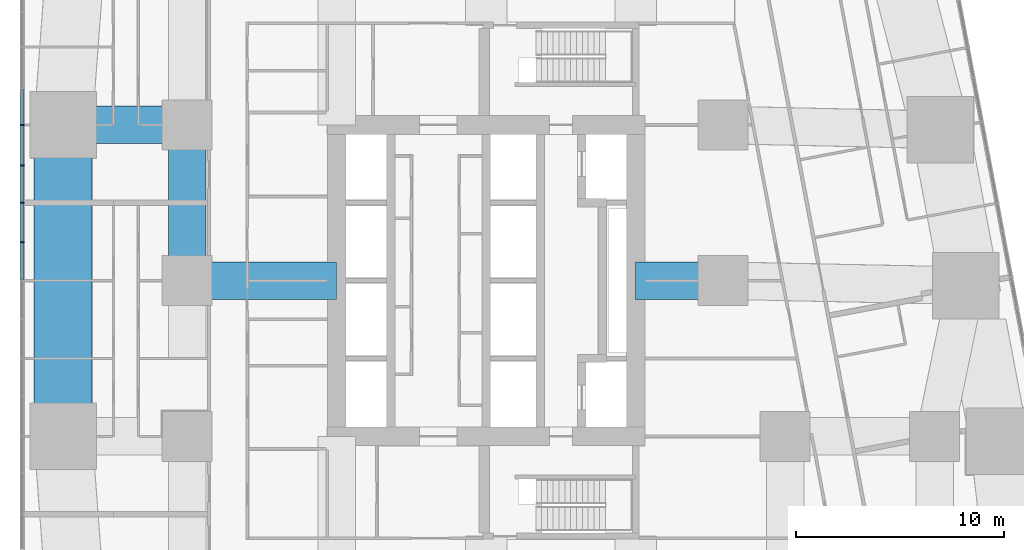
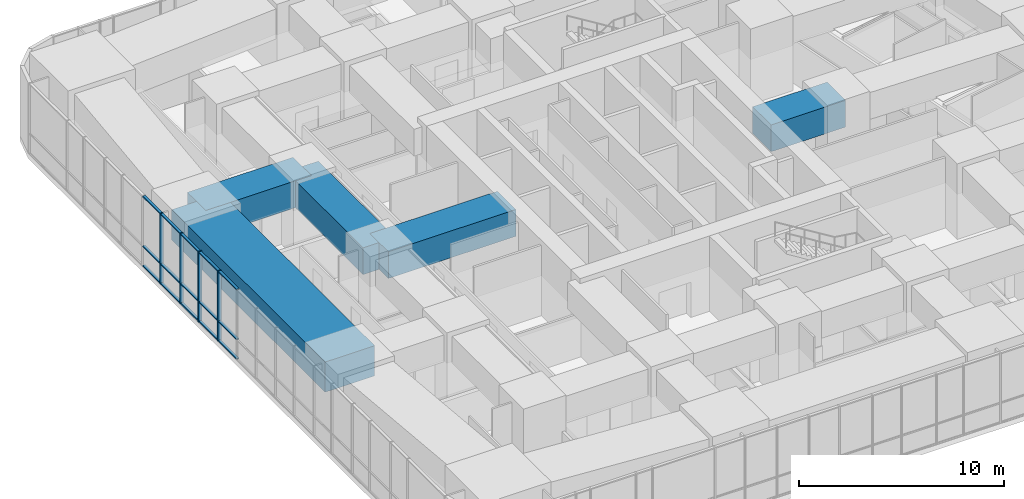
# One storey, part 4 of 23: 19 members, 5 beams, 1 element without a shape of its own.
"""IFC4 building model written with IfcOpenShell, lengths in metres."""

import ifcopenshell
import ifcopenshell.guid

model = None  # the IFC model being written
_history = None  # IfcOwnerHistory: only IFC2X3 demands one
_inside = {}  # id of a spatial element -> (the spatial element, [elements in it])
_under = {}  # id of a project, library or spatial element -> (it, [spatial elements below it])
_declared = {}  # id of a project -> (the project, [libraries it declares])
_typed = {}  # id of a type object -> (the type object, [elements of that type])
_made_of = {}  # id of a material, layer set ... -> (it, [elements and type objects made of it])


def new_model(schema):
    """Start an empty IFC model of exactly this schema.

    Asked for "IFC4X3", IfcOpenShell would pick the latest addendum, in which some entities
    have other attributes; the version numbers below select the first issue.
    IFC2X3 requires an IfcOwnerHistory on every rooted entity: one is made here for all.
    """
    global model, _history
    if schema == "IFC4X3":
        model = ifcopenshell.file(schema_version=(4, 3, 0, 0))
    else:
        model = ifcopenshell.file(schema=schema)
    _inside.clear()
    _under.clear()
    _declared.clear()
    _typed.clear()
    _made_of.clear()
    _history = None
    if model.schema == "IFC2X3":
        org = make("IfcOrganization", Name="unknown")
        user = make(
            "IfcPersonAndOrganization",
            ThePerson=make("IfcPerson", FamilyName="unknown"),
            TheOrganization=org,
        )
        app = make(
            "IfcApplication",
            ApplicationDeveloper=org,
            Version="unknown",
            ApplicationFullName="unknown",
            ApplicationIdentifier="unknown",
        )
        _history = make(
            "IfcOwnerHistory",
            OwningUser=user,
            OwningApplication=app,
            ChangeAction="ADDED",
            CreationDate=0,
        )
    return model


def make(cls, **values):
    """One entity of the class cls with the attributes given. An attribute that is None is left unset."""
    return model.create_entity(
        cls, **{name: value for name, value in values.items() if value is not None}
    )


def rooted(cls, **values):
    """An entity with a GlobalId (a new one), such as an element, a storey or a relation."""
    return make(cls, GlobalId=ifcopenshell.guid.new(), OwnerHistory=_history, **values)


def si_unit(unit_type, name, prefix=None):
    """IfcSIUnit, for example si_unit("LENGTHUNIT", "METRE", prefix="MILLI")."""
    return make("IfcSIUnit", UnitType=unit_type, Prefix=prefix, Name=name)


def assignment(units):
    """IfcUnitAssignment: the units of a project."""
    return None if units is None else make("IfcUnitAssignment", Units=units)


def point(xyz):
    """IfcCartesianPoint."""
    return None if xyz is None else make("IfcCartesianPoint", Coordinates=xyz)


def direction(xyz):
    """IfcDirection."""
    return None if xyz is None else make("IfcDirection", DirectionRatios=xyz)


def frame(location, z_axis=None, x_axis=None):
    """IfcAxis2Placement3D, a coordinate frame: its origin and axes. An axis left out is left unset."""
    return make(
        "IfcAxis2Placement3D",
        Location=point(location),
        Axis=direction(z_axis),
        RefDirection=direction(x_axis),
    )


def frame_2d(location, x_axis=None):
    """IfcAxis2Placement2D, a coordinate frame in the plane: its origin and x axis."""
    return make(
        "IfcAxis2Placement2D", Location=point(location), RefDirection=direction(x_axis)
    )


def origin():
    """The frame at (0, 0, 0) with its axes left unset."""
    return frame((0.0, 0.0, 0.0))


def origin_2d():
    """The frame at (0, 0) in the plane with its x axis left unset."""
    return frame_2d((0.0, 0.0))


def place(relative_to, where):
    """IfcLocalPlacement: puts the frame where relative to a parent placement (None: the world)."""
    return make(
        "IfcLocalPlacement", PlacementRelTo=relative_to, RelativePlacement=where
    )


def context(
    kind, dimensions, precision=None, world=None, true_north=None, identifier=None
):
    """IfcGeometricRepresentationContext, for example the 3D "Model" context."""
    return make(
        "IfcGeometricRepresentationContext",
        ContextIdentifier=identifier,
        ContextType=kind,
        CoordinateSpaceDimension=dimensions,
        Precision=precision,
        WorldCoordinateSystem=world,
        TrueNorth=true_north,
    )


def subcontext(parent, identifier, kind, view, scale=None):
    """IfcGeometricRepresentationSubContext, for example "Body" below "Model"."""
    return make(
        "IfcGeometricRepresentationSubContext",
        ContextIdentifier=identifier,
        ContextType=kind,
        ParentContext=parent,
        TargetScale=scale,
        TargetView=view,
    )


def project(units=None, contexts=None):
    """IfcProject with its units and contexts."""
    return rooted(
        "IfcProject",
        Name="project",
        RepresentationContexts=contexts,
        UnitsInContext=assignment(units),
    )


def spatial(cls, under=None, at=None, **own):
    """A site, building, storey or space (cls), placed at a placement, below another one or the project."""
    s = rooted(cls, ObjectPlacement=at, **own)
    if under is not None:
        _under.setdefault(under.id(), (under, []))[1].append(s)
    return s


def profile(cls, at=None, kind="AREA", **sizes):
    """A parametric profile (cls). Its sizes go by their IFC names, for example OverallWidth=200.0."""
    return make(cls, ProfileType=kind, Position=at, **sizes)


def rectangle(**sizes):
    """IfcRectangleProfileDef."""
    return profile("IfcRectangleProfileDef", **sizes)


def extrude(swept, where, along, depth):
    """IfcExtrudedAreaSolid: the profile swept, set in the frame where, extruded along a direction by depth."""
    return make(
        "IfcExtrudedAreaSolid",
        SweptArea=swept,
        Position=where,
        ExtrudedDirection=direction(along),
        Depth=depth,
    )


def shape(context_of_items, identifier, shape_type, items):
    """IfcShapeRepresentation: the items that make up one representation, for example the "Body"."""
    return make(
        "IfcShapeRepresentation",
        ContextOfItems=context_of_items,
        RepresentationIdentifier=identifier,
        RepresentationType=shape_type,
        Items=items,
    )


def material(Name=None, Category=None):
    """IfcMaterial."""
    return make("IfcMaterial", Name=Name, Category=Category)


def material_profile(
    of_material, cross_section, Name=None, Category=None, Priority=None
):
    """IfcMaterialProfile: a cross section and its material."""
    return make(
        "IfcMaterialProfile",
        Name=Name,
        Material=of_material,
        Profile=cross_section,
        Priority=Priority,
        Category=Category,
    )


def profile_set(profiles, Name=None, composite=None):
    """IfcMaterialProfileSet."""
    return make(
        "IfcMaterialProfileSet",
        Name=Name,
        MaterialProfiles=profiles,
        CompositeProfile=composite,
    )


def made_of(thing, what):
    """Note that an element or type object is made of a material, layer set ...; save() writes the relation."""
    if what is not None:
        _made_of.setdefault(what.id(), (what, []))[1].append(thing)
    return thing


def type_object(cls, material=None, **own):
    """A type object (cls), such as IfcWallType, which elements share."""
    return made_of(rooted(cls, **own), material)


def element(
    cls,
    number,
    at=None,
    inside=None,
    cuts=None,
    type_object=None,
    material=None,
    context=None,
    identifier="Body",
    shape_type=None,
    held_by="IfcProductDefinitionShape",
    body=None,
    shapes=None,
    **own,
):
    """One element of the class cls, such as IfcWall. Its Tag is "e" and its number.

    at: its placement. inside: the storey or other place that contains it. cuts: it is an
    opening in that element (IfcRelVoidsElement). A single representation is given by context,
    identifier, shape_type and body (its items); several are given by shapes. held_by: the class
    of the entity that holds the representations. save() writes the other relations.
    """
    e = rooted(cls, Tag="e%d" % number, ObjectPlacement=at, **own)
    if body is not None:
        shapes = [shape(context, identifier, shape_type, body)]
    if shapes is not None:
        e.Representation = make(held_by, Representations=shapes)
    if inside is not None:
        _inside.setdefault(inside.id(), (inside, []))[1].append(e)
    if cuts is not None:
        rooted(
            "IfcRelVoidsElement", RelatingBuildingElement=cuts, RelatedOpeningElement=e
        )
    if type_object is not None:
        _typed.setdefault(type_object.id(), (type_object, []))[1].append(e)
    return made_of(e, material)


def aggregate(whole, parts):
    """IfcRelAggregates: a whole, such as a stair, and the parts it consists of."""
    return rooted("IfcRelAggregates", RelatingObject=whole, RelatedObjects=parts)


def save(model, path):
    """Write the relations noted so far, then the file.

    IfcRelAggregates (storeys below a building ...), IfcRelContainedInSpatialStructure (elements
    in a storey), IfcRelDefinesByType, IfcRelAssociatesMaterial and IfcRelDeclares: one each for
    every whole, place, type object, material and project.
    """
    for whole, parts in _under.values():
        aggregate(whole, parts)
    for where, things in _inside.values():
        rooted(
            "IfcRelContainedInSpatialStructure",
            RelatedElements=things,
            RelatingStructure=where,
        )
    for kind, things in _typed.values():
        rooted("IfcRelDefinesByType", RelatedObjects=things, RelatingType=kind)
    for what, things in _made_of.values():
        rooted("IfcRelAssociatesMaterial", RelatedObjects=things, RelatingMaterial=what)
    for by, libraries in _declared.values():
        rooted("IfcRelDeclares", RelatingContext=by, RelatedDefinitions=libraries)
    model.write(path)


model = new_model("IFC4")

# Units and contexts
model_context = context("Model", 3, precision=1e-05, world=origin(), true_north=direction((0.0, 1.0)))
body_context = subcontext(model_context, "Body", "Model", "MODEL_VIEW")
ifc_project = project(units=[si_unit("LENGTHUNIT", "METRE"), si_unit("AREAUNIT", "SQUARE_METRE"), si_unit("VOLUMEUNIT", "CUBIC_METRE"), si_unit("PLANEANGLEUNIT", "RADIAN"), si_unit("MASSUNIT", "GRAM", prefix="KILO")], contexts=[model_context])

# Site, building, storey
site_placement = place(None, origin())
site = spatial("IfcSite", under=ifc_project, at=site_placement, CompositionType="ELEMENT")
building_placement = place(site_placement, origin())
building = spatial("IfcBuilding", under=site, at=building_placement, Name="Sheger Commons Tower", CompositionType="ELEMENT")
storey_placement = place(building_placement, frame((0.0, 0.0, 5.60009765625)))
storey = spatial("IfcBuildingStorey", under=building, at=storey_placement, Name="L01", CompositionType="ELEMENT", Elevation=5.60009765625)

# Beams
ifc_material_1 = material(Name="Concrete C50/60", Category="concrete")
ifc_material_profile_1 = material_profile(ifc_material_1, rectangle(XDim=1.800048828125, YDim=1.60009765625, at=origin_2d()), Name="RC 1800x1600")
ifc_profile_set_1 = profile_set([ifc_material_profile_1], Name="Concrete C50/60")
beam_type_1 = type_object("IfcBeamType", Name="BEAM RC 1800x1600", PredefinedType="BEAM", material=ifc_profile_set_1)
beam_1_placement = place(storey_placement, frame((7.199951171875, 22.5, 3.39990234375), z_axis=(1.0, 0.0, 0.0), x_axis=(0.0, 1.0, 0.0)))
element("IfcBeam", 1, at=beam_1_placement, inside=storey, type_object=beam_type_1, Name="Beam 2/D-3/D under L02", PredefinedType="BEAM", context=body_context, shape_type="SweptSolid", body=[
    extrude(rectangle(XDim=1.800048828125, YDim=1.60009765625, at=origin_2d()), origin(), (0.0, 0.0, 1.0), 7.199951171875),
])
beam_2_placement = place(storey_placement, frame((28.800048828125, 22.5, 3.39990234375), z_axis=(1.0, 0.0, 0.0), x_axis=(0.0, 1.0, 0.0)))
element("IfcBeam", 2, at=beam_2_placement, inside=storey, type_object=beam_type_1, Name="Beam 5/D-6-3000/D under L02", PredefinedType="BEAM", context=body_context, shape_type="SweptSolid", body=[
    extrude(rectangle(XDim=1.800048828125, YDim=1.60009765625, at=origin_2d()), origin(), (0.0, 0.0, 1.0), 4.199951171875),
])
beam_3_placement = place(storey_placement, frame((1.22509765625, 30.0, 3.39990234375), z_axis=(1.0, 0.0, 0.0), x_axis=(0.0, 1.0, 0.0)))
element("IfcBeam", 3, at=beam_3_placement, inside=storey, type_object=beam_type_1, Name="Beam 1/E-2/E under L02", PredefinedType="BEAM", context=body_context, shape_type="SweptSolid", body=[
    extrude(rectangle(XDim=1.800048828125, YDim=1.60009765625, at=origin_2d()), origin(), (0.0, 0.0, 1.0), 5.974853515625),
])
beam_4_placement = place(storey_placement, frame((7.199951171875, 22.5, 3.39990234375), z_axis=(0.0, 1.0, 0.0), x_axis=(-1.0, 0.0, 0.0)))
element("IfcBeam", 4, at=beam_4_placement, inside=storey, type_object=beam_type_1, Name="Beam 2/D-2/E under L02", PredefinedType="BEAM", context=body_context, shape_type="SweptSolid", body=[
    extrude(rectangle(XDim=1.800048828125, YDim=1.60009765625, at=origin_2d()), origin(), (0.0, 0.0, 1.0), 7.5),
])

# Curtain wall, members
ifc_material_2 = material(Name="Black aluminium curtain wall, dark tinted glazing", Category="aluminium")
curtain_wall_type = type_object("IfcCurtainWallType", Name="CURTAIN WALL CW2 HEALTH CENTRE", PredefinedType="USERDEFINED", material=ifc_material_2)
curtain_wall_placement = place(storey_placement, origin())
curtain_wall = element("IfcCurtainWall", 5, at=curtain_wall_placement, inside=storey, type_object=curtain_wall_type, Name="Curtain Wall Cw2 Health Centre W1 L01", ObjectType="STICK CURTAIN WALL", PredefinedType="USERDEFINED")
ifc_material_3 = material(Name="Black anodised aluminium", Category="aluminium")
ifc_material_profile_2 = material_profile(ifc_material_3, rectangle(XDim=0.199951171875, YDim=0.06494140625, at=origin_2d()), Name="AL 65x200")
ifc_profile_set_2 = profile_set([ifc_material_profile_2], Name="Black anodised aluminium")
member_type_1 = type_object("IfcMemberType", Name="MULLION AL 65x200", PredefinedType="MULLION", material=ifc_profile_set_2)
member_1_placement = place(storey_placement, frame((-0.75, 30.0, 0.0), z_axis=(0.0, 0.0, 1.0), x_axis=(1.0, 0.0, 0.0)))
member_1 = element("IfcMember", 6, at=member_1_placement, type_object=member_type_1, Name="CW2 mullion 7", PredefinedType="MULLION", context=body_context, shape_type="SweptSolid", body=[
    extrude(rectangle(XDim=0.199951171875, YDim=0.06494140625, at=origin_2d()), origin(), (0.0, 0.0, 1.0), 4.199951171875),
])
member_2_placement = place(storey_placement, frame((-0.75, 28.0458984375, 0.0), z_axis=(0.0, 0.0, 1.0), x_axis=(1.0, 0.0, 0.0)))
member_2 = element("IfcMember", 7, at=member_2_placement, type_object=member_type_1, Name="CW2 mullion 8", PredefinedType="MULLION", context=body_context, shape_type="SweptSolid", body=[
    extrude(rectangle(XDim=0.199951171875, YDim=0.06494140625, at=origin_2d()), origin(), (0.0, 0.0, 1.0), 4.199951171875),
])
member_3_placement = place(storey_placement, frame((-0.75, 26.25, 0.0), z_axis=(0.0, 0.0, 1.0), x_axis=(1.0, 0.0, 0.0)))
member_3 = element("IfcMember", 8, at=member_3_placement, type_object=member_type_1, Name="CW2 mullion 9", PredefinedType="MULLION", context=body_context, shape_type="SweptSolid", body=[
    extrude(rectangle(XDim=0.199951171875, YDim=0.06494140625, at=origin_2d()), origin(), (0.0, 0.0, 1.0), 4.199951171875),
])
member_4_placement = place(storey_placement, frame((-0.75, 24.34912109375, 0.0), z_axis=(0.0, 0.0, 1.0), x_axis=(1.0, 0.0, 0.0)))
member_4 = element("IfcMember", 9, at=member_4_placement, type_object=member_type_1, Name="CW2 mullion 10", PredefinedType="MULLION", context=body_context, shape_type="SweptSolid", body=[
    extrude(rectangle(XDim=0.199951171875, YDim=0.06494140625, at=origin_2d()), origin(), (0.0, 0.0, 1.0), 4.199951171875),
])

# Beam
ifc_material_4 = material(Name="Concrete C50/60", Category="concrete")
ifc_material_profile_3 = material_profile(ifc_material_4, rectangle(XDim=2.800048828125, YDim=1.800048828125, at=origin_2d()), Name="RC 2800x1800")
ifc_profile_set_3 = profile_set([ifc_material_profile_3], Name="Concrete C50/60")
beam_type_2 = type_object("IfcBeamType", Name="SPANDREL RC 2800x1800", PredefinedType="SPANDREL", material=ifc_profile_set_3)
beam_5_placement = place(storey_placement, frame((1.22509765625, 30.0, 3.2998046875), z_axis=(0.0, -1.0, 0.0), x_axis=(1.0, 0.0, 0.0)))
element("IfcBeam", 10, at=beam_5_placement, inside=storey, type_object=beam_type_2, Name="Beam 1/E-1/C under L02", PredefinedType="SPANDREL", context=body_context, shape_type="SweptSolid", body=[
    extrude(rectangle(XDim=2.800048828125, YDim=1.800048828125, at=origin_2d()), origin(), (0.0, 0.0, 1.0), 15.0),
])

# Member
ifc_material_5 = material(Name="Black anodised aluminium", Category="aluminium")
ifc_material_profile_4 = material_profile(ifc_material_5, rectangle(XDim=0.14990234375, YDim=0.06494140625, at=origin_2d()), Name="AL 65x150")
ifc_profile_set_4 = profile_set([ifc_material_profile_4], Name="Black anodised aluminium")
member_type_2 = type_object("IfcMemberType", Name="TRANSOM AL 65x150", PredefinedType="USERDEFINED", material=ifc_profile_set_4)
member_5_placement = place(storey_placement, frame((-0.75, 31.71142578125, 0.032470703125), z_axis=(0.0, -1.0, 0.0), x_axis=(1.0, 0.0, 0.0)))
member_5 = element("IfcMember", 11, at=member_5_placement, type_object=member_type_2, Name="CW2 transom 6.1", ObjectType="TRANSOM", PredefinedType="USERDEFINED", context=body_context, shape_type="SweptSolid", body=[
    extrude(rectangle(XDim=0.14990234375, YDim=0.06494140625, at=origin_2d()), origin(), (0.0, 0.0, 1.0), 1.678955078125),
])

member_6_placement = place(storey_placement, frame((-0.75, 31.71142578125, 1.199951171875), z_axis=(0.0, -1.0, 0.0), x_axis=(1.0, 0.0, 0.0)))
member_6 = element("IfcMember", 12, at=member_6_placement, type_object=member_type_2, Name="CW2 transom 6.2", ObjectType="TRANSOM", PredefinedType="USERDEFINED", context=body_context, shape_type="SweptSolid", body=[
    extrude(rectangle(XDim=0.14990234375, YDim=0.06494140625, at=origin_2d()), origin(), (0.0, 0.0, 1.0), 1.678955078125),
])

member_7_placement = place(storey_placement, frame((-0.75, 31.71142578125, 4.16748046875), z_axis=(0.0, -1.0, 0.0), x_axis=(1.0, 0.0, 0.0)))
member_7 = element("IfcMember", 13, at=member_7_placement, type_object=member_type_2, Name="CW2 transom 6.3", ObjectType="TRANSOM", PredefinedType="USERDEFINED", context=body_context, shape_type="SweptSolid", body=[
    extrude(rectangle(XDim=0.14990234375, YDim=0.06494140625, at=origin_2d()), origin(), (0.0, 0.0, 1.0), 1.678955078125),
])

member_8_placement = place(storey_placement, frame((-0.75, 29.967529296875, 0.032470703125), z_axis=(0.0, -1.0, 0.0), x_axis=(1.0, 0.0, 0.0)))
member_8 = element("IfcMember", 14, at=member_8_placement, type_object=member_type_2, Name="CW2 transom 7.1", ObjectType="TRANSOM", PredefinedType="USERDEFINED", context=body_context, shape_type="SweptSolid", body=[
    extrude(rectangle(XDim=0.14990234375, YDim=0.06494140625, at=origin_2d()), origin(), (0.0, 0.0, 1.0), 1.888916015625),
])

member_9_placement = place(storey_placement, frame((-0.75, 29.967529296875, 1.199951171875), z_axis=(0.0, -1.0, 0.0), x_axis=(1.0, 0.0, 0.0)))
member_9 = element("IfcMember", 15, at=member_9_placement, type_object=member_type_2, Name="CW2 transom 7.2", ObjectType="TRANSOM", PredefinedType="USERDEFINED", context=body_context, shape_type="SweptSolid", body=[
    extrude(rectangle(XDim=0.14990234375, YDim=0.06494140625, at=origin_2d()), origin(), (0.0, 0.0, 1.0), 1.888916015625),
])

member_10_placement = place(storey_placement, frame((-0.75, 29.967529296875, 4.16748046875), z_axis=(0.0, -1.0, 0.0), x_axis=(1.0, 0.0, 0.0)))
member_10 = element("IfcMember", 16, at=member_10_placement, type_object=member_type_2, Name="CW2 transom 7.3", ObjectType="TRANSOM", PredefinedType="USERDEFINED", context=body_context, shape_type="SweptSolid", body=[
    extrude(rectangle(XDim=0.14990234375, YDim=0.06494140625, at=origin_2d()), origin(), (0.0, 0.0, 1.0), 1.888916015625),
])

member_11_placement = place(storey_placement, frame((-0.75, 28.013427734375, 0.032470703125), z_axis=(0.0, -1.0, 0.0), x_axis=(1.0, 0.0, 0.0)))
member_11 = element("IfcMember", 17, at=member_11_placement, type_object=member_type_2, Name="CW2 transom 8.1", ObjectType="TRANSOM", PredefinedType="USERDEFINED", context=body_context, shape_type="SweptSolid", body=[
    extrude(rectangle(XDim=0.14990234375, YDim=0.06494140625, at=origin_2d()), origin(), (0.0, 0.0, 1.0), 1.73095703125),
])

member_12_placement = place(storey_placement, frame((-0.75, 28.013427734375, 1.199951171875), z_axis=(0.0, -1.0, 0.0), x_axis=(1.0, 0.0, 0.0)))
member_12 = element("IfcMember", 18, at=member_12_placement, type_object=member_type_2, Name="CW2 transom 8.2", ObjectType="TRANSOM", PredefinedType="USERDEFINED", context=body_context, shape_type="SweptSolid", body=[
    extrude(rectangle(XDim=0.14990234375, YDim=0.06494140625, at=origin_2d()), origin(), (0.0, 0.0, 1.0), 1.73095703125),
])

member_13_placement = place(storey_placement, frame((-0.75, 28.013427734375, 4.16748046875), z_axis=(0.0, -1.0, 0.0), x_axis=(1.0, 0.0, 0.0)))
member_13 = element("IfcMember", 19, at=member_13_placement, type_object=member_type_2, Name="CW2 transom 8.3", ObjectType="TRANSOM", PredefinedType="USERDEFINED", context=body_context, shape_type="SweptSolid", body=[
    extrude(rectangle(XDim=0.14990234375, YDim=0.06494140625, at=origin_2d()), origin(), (0.0, 0.0, 1.0), 1.73095703125),
])

member_14_placement = place(storey_placement, frame((-0.75, 26.217529296875, 0.032470703125), z_axis=(0.0, -1.0, 0.0), x_axis=(1.0, 0.0, 0.0)))
member_14 = element("IfcMember", 20, at=member_14_placement, type_object=member_type_2, Name="CW2 transom 9.1", ObjectType="TRANSOM", PredefinedType="USERDEFINED", context=body_context, shape_type="SweptSolid", body=[
    extrude(rectangle(XDim=0.14990234375, YDim=0.06494140625, at=origin_2d()), origin(), (0.0, 0.0, 1.0), 1.8359375),
])

member_15_placement = place(storey_placement, frame((-0.75, 26.217529296875, 1.199951171875), z_axis=(0.0, -1.0, 0.0), x_axis=(1.0, 0.0, 0.0)))
member_15 = element("IfcMember", 21, at=member_15_placement, type_object=member_type_2, Name="CW2 transom 9.2", ObjectType="TRANSOM", PredefinedType="USERDEFINED", context=body_context, shape_type="SweptSolid", body=[
    extrude(rectangle(XDim=0.14990234375, YDim=0.06494140625, at=origin_2d()), origin(), (0.0, 0.0, 1.0), 1.8359375),
])

member_16_placement = place(storey_placement, frame((-0.75, 26.217529296875, 4.16748046875), z_axis=(0.0, -1.0, 0.0), x_axis=(1.0, 0.0, 0.0)))
member_16 = element("IfcMember", 22, at=member_16_placement, type_object=member_type_2, Name="CW2 transom 9.3", ObjectType="TRANSOM", PredefinedType="USERDEFINED", context=body_context, shape_type="SweptSolid", body=[
    extrude(rectangle(XDim=0.14990234375, YDim=0.06494140625, at=origin_2d()), origin(), (0.0, 0.0, 1.0), 1.8359375),
])

member_17_placement = place(storey_placement, frame((-0.75, 24.31640625, 0.032470703125), z_axis=(0.0, -1.0, 0.0), x_axis=(1.0, 0.0, 0.0)))
member_17 = element("IfcMember", 23, at=member_17_placement, type_object=member_type_2, Name="CW2 transom 10.1", ObjectType="TRANSOM", PredefinedType="USERDEFINED", context=body_context, shape_type="SweptSolid", body=[
    extrude(rectangle(XDim=0.14990234375, YDim=0.06494140625, at=origin_2d()), origin(), (0.0, 0.0, 1.0), 1.783935546875),
])

member_18_placement = place(storey_placement, frame((-0.75, 24.31640625, 1.199951171875), z_axis=(0.0, -1.0, 0.0), x_axis=(1.0, 0.0, 0.0)))
member_18 = element("IfcMember", 24, at=member_18_placement, type_object=member_type_2, Name="CW2 transom 10.2", ObjectType="TRANSOM", PredefinedType="USERDEFINED", context=body_context, shape_type="SweptSolid", body=[
    extrude(rectangle(XDim=0.14990234375, YDim=0.06494140625, at=origin_2d()), origin(), (0.0, 0.0, 1.0), 1.783935546875),
])

member_19_placement = place(storey_placement, frame((-0.75, 24.31640625, 4.16748046875), z_axis=(0.0, -1.0, 0.0), x_axis=(1.0, 0.0, 0.0)))
member_19 = element("IfcMember", 25, at=member_19_placement, type_object=member_type_2, Name="CW2 transom 10.3", ObjectType="TRANSOM", PredefinedType="USERDEFINED", context=body_context, shape_type="SweptSolid", body=[
    extrude(rectangle(XDim=0.14990234375, YDim=0.06494140625, at=origin_2d()), origin(), (0.0, 0.0, 1.0), 1.783935546875),
])

aggregate(curtain_wall, [member_1, member_2, member_3, member_4, member_5, member_6, member_7, member_8, member_9, member_10, member_11, member_12, member_13, member_14, member_15, member_16, member_17, member_18, member_19])

save(model, "model.ifc")
